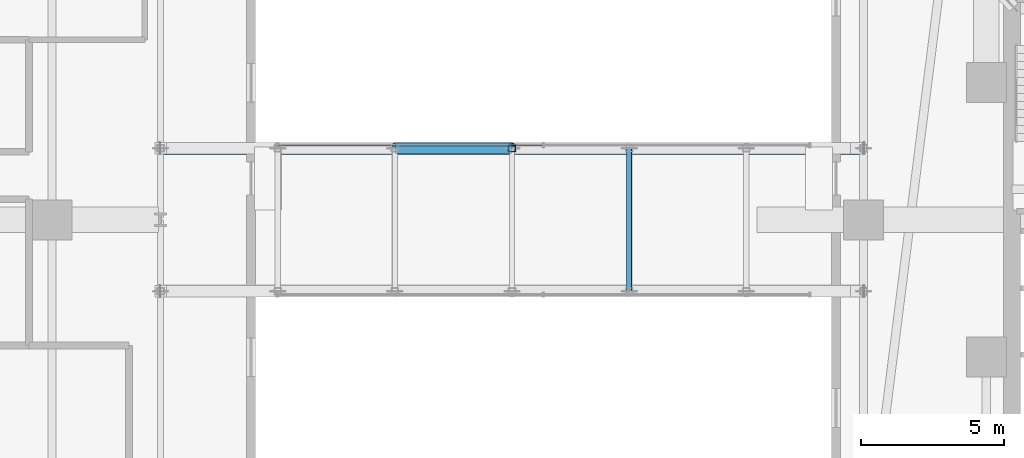
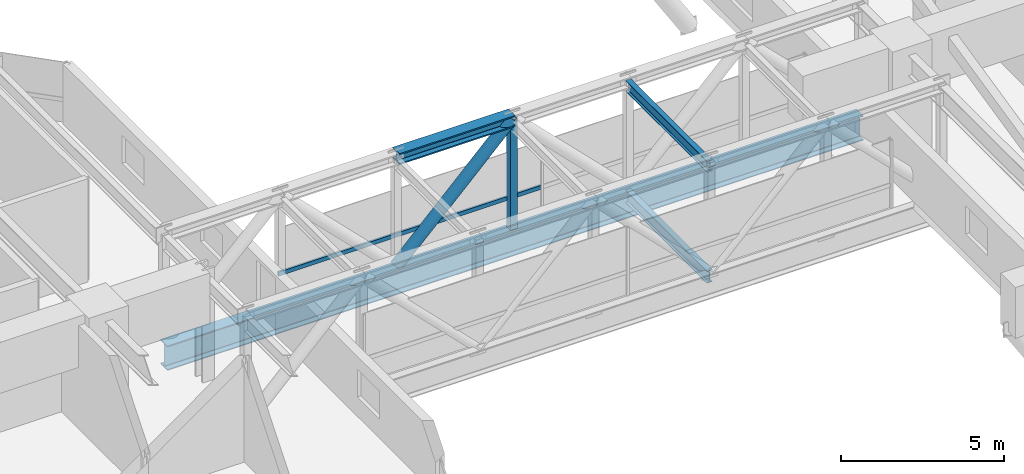
# One storey, part 11 of 38: 4 members, 3 beams, 1 element without a shape of its own.
"""IFC4 building model written with IfcOpenShell, lengths in metres."""

from ifc_helpers import new_model, si_unit, direction, frame, origin, origin_2d, place, context, subcontext, project, spatial, hollow_rectangle, hollow_circle, i_section, extrude, material, material_profile, profile_set, type_object, element, aggregate, save


model = new_model("IFC4")

# Units and contexts
model_context = context("Model", 3, precision=1e-05, world=origin(), true_north=direction((0.0, 1.0)))
body_context = subcontext(model_context, "Body", "Model", "MODEL_VIEW")
ifc_project = project(units=[si_unit("LENGTHUNIT", "METRE"), si_unit("AREAUNIT", "SQUARE_METRE"), si_unit("VOLUMEUNIT", "CUBIC_METRE"), si_unit("PLANEANGLEUNIT", "RADIAN"), si_unit("MASSUNIT", "GRAM", prefix="KILO")], contexts=[model_context])

# Site, building, storey
site_placement = place(None, origin())
site = spatial("IfcSite", under=ifc_project, at=site_placement, CompositionType="ELEMENT")
building_placement = place(site_placement, origin())
building = spatial("IfcBuilding", under=site, at=building_placement, Name="Thornwick Lancets Civic Towers", CompositionType="ELEMENT")
storey_placement = place(building_placement, frame((0.0, 0.0, 71.699951171875)))
storey = spatial("IfcBuildingStorey", under=building, at=storey_placement, Name="L18", CompositionType="ELEMENT", Elevation=71.699951171875)

# Beams
ifc_material_1 = material(Name="Steel S355JR", Category="steel")
ifc_material_profile_1 = material_profile(ifc_material_1, i_section(OverallWidth=0.179443359375, OverallDepth=0.412841796875, WebThickness=0.009521484375, FlangeThickness=0.01611328125, FilletRadius=0.01025390625, at=origin_2d()), Name="UKB 406x178x74")
ifc_profile_set_1 = profile_set([ifc_material_profile_1], Name="Steel S355JR")
beam_type_1 = type_object("IfcBeamType", Name="BM_JOIST_406_74", PredefinedType="JOIST", material=ifc_profile_set_1)
beam_1_placement = place(storey_placement, frame((63.0, 24.5, 3.673583984375), z_axis=(0.0, 1.0, 0.0), x_axis=(-1.0, 0.0, 0.0)))
element("IfcBeam", 1, at=beam_1_placement, inside=storey, type_object=beam_type_1, Name="BM-L18-SB-RBM-4", PredefinedType="JOIST", context=body_context, shape_type="SweptSolid", body=[
    extrude(i_section(OverallWidth=0.179443359375, OverallDepth=0.412841796875, WebThickness=0.009521484375, FlangeThickness=0.01611328125, FilletRadius=0.01025390625, at=origin_2d()), origin(), (0.0, 0.0, 1.0), 5.0),
])
ifc_material_profile_2 = material_profile(ifc_material_1, i_section(OverallWidth=0.19189453125, OverallDepth=0.46337890625, WebThickness=0.010498046875, FlangeThickness=0.017578125, FilletRadius=0.01025390625, at=origin_2d()), Name="UKB 457x191x89")
ifc_profile_set_2 = profile_set([ifc_material_profile_2], Name="Steel S355JR")
beam_type_2 = type_object("IfcBeamType", Name="BM_JOIST_457_89", PredefinedType="JOIST", material=ifc_profile_set_2)
beam_2_placement = place(storey_placement, frame((63.0, 24.5, -0.45166015625), z_axis=(0.0, 1.0, 0.0), x_axis=(-1.0, 0.0, 0.0)))
element("IfcBeam", 2, at=beam_2_placement, inside=storey, type_object=beam_type_2, Name="BM-L18-SB-XBM-4", PredefinedType="JOIST", context=body_context, shape_type="SweptSolid", body=[
    extrude(i_section(OverallWidth=0.19189453125, OverallDepth=0.46337890625, WebThickness=0.010498046875, FlangeThickness=0.017578125, FilletRadius=0.01025390625, at=origin_2d()), origin(), (0.0, 0.0, 1.0), 5.0),
])
ifc_material_2 = material(Name="Steel S460M", Category="steel")
ifc_material_profile_3 = material_profile(ifc_material_2, i_section(OverallWidth=0.42041015625, OverallDepth=0.9208984375, WebThickness=0.021484375, FlangeThickness=0.03662109375, FilletRadius=0.024169921875, at=origin_2d()), Name="UKB 914x419x388")
ifc_profile_set_3 = profile_set([ifc_material_profile_3], Name="Steel S460M")
beam_type_3 = type_object("IfcBeamType", Name="BM_TR_914_388", PredefinedType="BEAM", material=ifc_profile_set_3)
beam_3_placement = place(storey_placement, frame((46.60009765625, 29.5, -0.680419921875), z_axis=(1.0, 0.0, 0.0), x_axis=(0.0, 1.0, 0.0)))
element("IfcBeam", 3, at=beam_3_placement, inside=storey, type_object=beam_type_3, Name="BM-L18-SB-MAIN-2", PredefinedType="BEAM", context=body_context, shape_type="SweptSolid", body=[
    extrude(i_section(OverallWidth=0.42041015625, OverallDepth=0.9208984375, WebThickness=0.021484375, FlangeThickness=0.03662109375, FilletRadius=0.024169921875, at=origin_2d()), origin(), (0.0, 0.0, 1.0), 24.599853515625),
])

# Curtain wall, member
ifc_material_3 = material(Name="Skybridge acoustic laminated-glass curtain wall", Category="glass")
curtain_wall_type = type_object("IfcCurtainWallType", Name="CW_SYS_06", PredefinedType="NOTDEFINED", material=ifc_material_3)
curtain_wall_placement = place(storey_placement, origin())
curtain_wall = element("IfcCurtainWall", 4, at=curtain_wall_placement, inside=storey, type_object=curtain_wall_type, Name="L18 Curtain Wall CW-L18-SKYBRIDGE-N", PredefinedType="NOTDEFINED")
ifc_material_4 = material(Name="Thermally broken bronze aluminium S355", Category="steel")
ifc_material_profile_4 = material_profile(ifc_material_4, hollow_rectangle(XDim=0.074951171875, YDim=0.14990234375, WallThickness=0.0048828125, at=origin_2d()), Name="RHS 150x75x5")
ifc_profile_set_4 = profile_set([ifc_material_profile_4], Name="Thermally broken bronze aluminium S355")
member_type_1 = type_object("IfcMemberType", Name="CW_TRN_150", PredefinedType="USERDEFINED", material=ifc_profile_set_4)
member_1_placement = place(storey_placement, frame((59.97998046875, 29.6201171875, 0.85009765625), z_axis=(-1.0, 0.0, 0.0), x_axis=(0.0, -1.0, 0.0)))
member_1 = element("IfcMember", 5, at=member_1_placement, type_object=member_type_1, Name="CW-L18-SKYBRIDGE-N Transom 1", ObjectType="TRANSOM", PredefinedType="USERDEFINED", context=body_context, shape_type="SweptSolid", body=[
    extrude(hollow_rectangle(XDim=0.074951171875, YDim=0.14990234375, WallThickness=0.0048828125, at=origin_2d()), origin(), (0.0, 0.0, 1.0), 9.280029296875),
])
aggregate(curtain_wall, [member_1])

# Members
ifc_material_profile_5 = material_profile(ifc_material_2, i_section(OverallWidth=0.406982421875, OverallDepth=0.4189453125, WebThickness=0.030517578125, FlangeThickness=0.04931640625, FilletRadius=0.01513671875, at=origin_2d()), Name="UKC 356x406x393")
ifc_profile_set_5 = profile_set([ifc_material_profile_5], Name="Steel S460M")
member_type_2 = type_object("IfcMemberType", Name="MEM_BRG_CHORD_393", PredefinedType="CHORD", material=ifc_profile_set_5)
member_2_placement = place(storey_placement, frame((54.800048828125, 29.5, 3.880126953125), z_axis=(1.0, 0.0, 0.0), x_axis=(0.0, 1.0, 0.0)))
element("IfcMember", 6, at=member_2_placement, inside=storey, type_object=member_type_2, Name="L18 Skybridge Top Chord 2-2", PredefinedType="CHORD", context=body_context, shape_type="SweptSolid", body=[
    extrude(i_section(OverallWidth=0.406982421875, OverallDepth=0.4189453125, WebThickness=0.030517578125, FlangeThickness=0.04931640625, FilletRadius=0.01513671875, at=origin_2d()), origin(), (0.0, 0.0, 1.0), 4.099853515625),
])
ifc_material_profile_6 = material_profile(ifc_material_2, hollow_circle(Radius=0.203125, WallThickness=0.02001953125, at=origin_2d()), Name="CHS 406.4x20")
ifc_profile_set_6 = profile_set([ifc_material_profile_6], Name="Steel S460M")
member_type_3 = type_object("IfcMemberType", Name="MEM_BRG_WEB_CHS406", PredefinedType="BRACE", material=ifc_profile_set_6)
member_3_placement = place(storey_placement, frame((54.800048828125, 29.5, -0.219970703125), z_axis=(0.707085727883, 0.0, 0.707127833863), x_axis=(0.0, 1.0, 0.0)))
element("IfcMember", 7, at=member_3_placement, inside=storey, type_object=member_type_3, Name="L18 Skybridge Truss Diagonal 2-2", PredefinedType="BRACE", context=body_context, shape_type="SweptSolid", body=[
    extrude(hollow_circle(Radius=0.203125, WallThickness=0.02001953125, at=origin_2d()), origin(), (0.0, 0.0, 1.0), 5.79833984375),
])
ifc_material_profile_7 = material_profile(ifc_material_2, hollow_rectangle(XDim=0.25, YDim=0.25, WallThickness=0.01611328125, at=origin_2d()), Name="SHS 250x250x16")
ifc_profile_set_7 = profile_set([ifc_material_profile_7], Name="Steel S460M")
member_type_4 = type_object("IfcMemberType", Name="MEM_BRG_WEB_SHS250", PredefinedType="BRACE", material=ifc_profile_set_7)
member_4_placement = place(storey_placement, frame((58.89990234375, 29.5, -0.219970703125), z_axis=(0.0, 0.0, 1.0), x_axis=(1.0, 0.0, 0.0)))
element("IfcMember", 8, at=member_4_placement, inside=storey, type_object=member_type_4, Name="L18 Skybridge Truss Post 2-3", PredefinedType="BRACE", context=body_context, shape_type="SweptSolid", body=[
    extrude(hollow_rectangle(XDim=0.25, YDim=0.25, WallThickness=0.01611328125, at=origin_2d()), origin(), (0.0, 0.0, 1.0), 4.10009765625),
])

save(model, "model.ifc")
